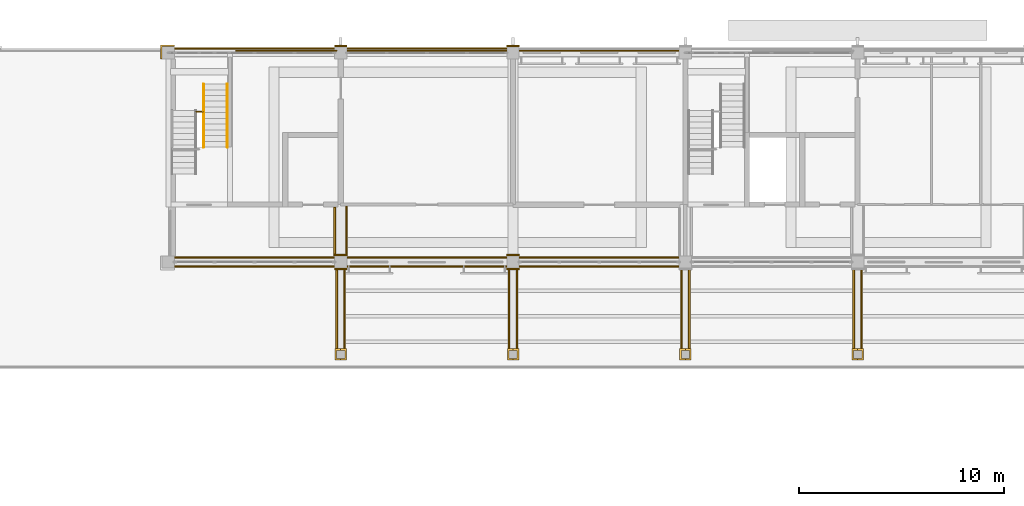
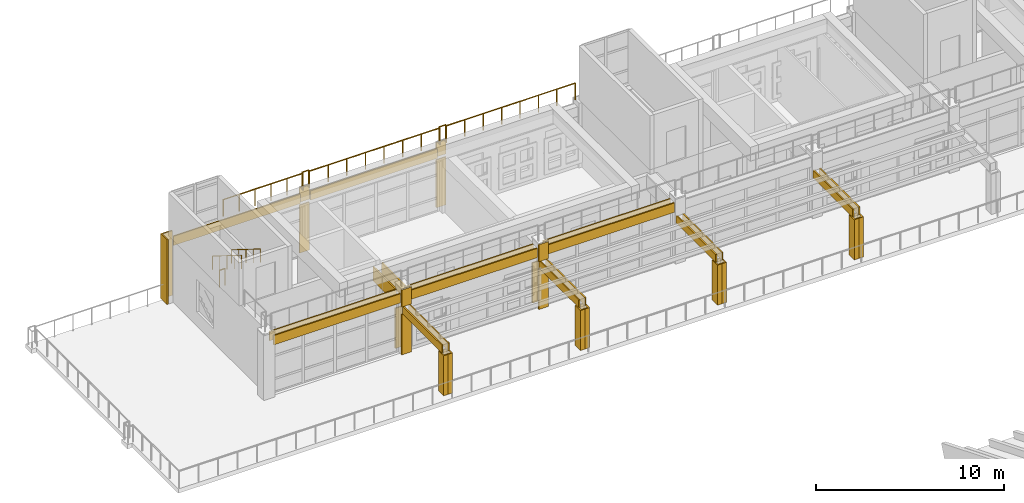
# One storey, part 96 of 105: 37 coverings, 5 railings.
"""IFC4 building model written with IfcOpenShell, lengths in metres."""

from ifc_helpers import new_model, si_unit, direction, frame, origin, origin_2d, place, context, subcontext, project, spatial, polyline, circle, outline, extrude, material, layer, layer_set, type_object, element, save


model = new_model("IFC4")

# Units and contexts
model_context = context("Model", 3, precision=1e-05, world=origin(), true_north=direction((0.0, 1.0)))
body_context = subcontext(model_context, "Body", "Model", "MODEL_VIEW")
ifc_project = project(units=[si_unit("LENGTHUNIT", "METRE"), si_unit("AREAUNIT", "SQUARE_METRE"), si_unit("VOLUMEUNIT", "CUBIC_METRE"), si_unit("PLANEANGLEUNIT", "RADIAN"), si_unit("MASSUNIT", "GRAM", prefix="KILO")], contexts=[model_context])

# Site, building, storey
site_placement = place(None, origin())
site = spatial("IfcSite", under=ifc_project, at=site_placement, CompositionType="ELEMENT")
building_placement = place(site_placement, origin())
building = spatial("IfcBuilding", under=site, at=building_placement, Name="Wasatch Bagh Community Centre", CompositionType="ELEMENT")
storey_placement = place(building_placement, frame((0.0, 0.0, 16.800048828125)))
storey = spatial("IfcBuildingStorey", under=building, at=storey_placement, Name="L04", CompositionType="ELEMENT", Elevation=16.800048828125)

# Coverings
ifc_material_1 = material(Name="Cast stone cladding", Category="masonry")
ifc_layer_1 = layer(ifc_material_1, 0.080078125)
ifc_layer_set_1 = layer_set([ifc_layer_1], Name="Cast stone cladding")
covering_type_1 = type_object("IfcCoveringType", Name="CL-B7 beam facing", PredefinedType="CLADDING", material=ifc_layer_set_1)
covering_1_placement = place(storey_placement, frame((0.0, 0.0, 3.300048828125)))
element("IfcCovering", 1, at=covering_1_placement, inside=storey, type_object=covering_type_1, Name="Beam facing", PredefinedType="CLADDING", context=body_context, shape_type="SweptSolid", body=[
    extrude(outline(polyline([(81.10009765625, 87.77490234375), (88.89990234375, 87.77490234375), (88.89990234375, 87.85498046875), (81.10009765625, 87.85498046875), (81.10009765625, 87.77490234375)])), origin(), (0.0, 0.0, 1.0), 0.599853515625),
])
covering_2_placement = place(storey_placement, frame((0.0, 0.0, 3.300048828125)))
element("IfcCovering", 2, at=covering_2_placement, inside=storey, type_object=covering_type_1, Name="Beam facing", PredefinedType="CLADDING", context=body_context, shape_type="SweptSolid", body=[
    extrude(outline(polyline([(81.10009765625, 87.425048828125), (88.89990234375, 87.425048828125), (88.89990234375, 87.344970703125), (81.10009765625, 87.344970703125), (81.10009765625, 87.425048828125)])), origin(), (0.0, 0.0, 1.0), 0.599853515625),
])
covering_3_placement = place(storey_placement, frame((0.0, 0.0, 3.300048828125)))
element("IfcCovering", 3, at=covering_3_placement, inside=storey, type_object=covering_type_1, Name="Beam facing", PredefinedType="CLADDING", context=body_context, shape_type="SweptSolid", body=[
    extrude(outline(polyline([(89.5, 87.77490234375), (97.300048828125, 87.77490234375), (97.300048828125, 87.85498046875), (89.5, 87.85498046875), (89.5, 87.77490234375)])), origin(), (0.0, 0.0, 1.0), 0.599853515625),
])
covering_4_placement = place(storey_placement, frame((0.0, 0.0, 3.300048828125)))
element("IfcCovering", 4, at=covering_4_placement, inside=storey, type_object=covering_type_1, Name="Beam facing", PredefinedType="CLADDING", context=body_context, shape_type="SweptSolid", body=[
    extrude(outline(polyline([(89.5, 87.425048828125), (97.300048828125, 87.425048828125), (97.300048828125, 87.344970703125), (89.5, 87.344970703125), (89.5, 87.425048828125)])), origin(), (0.0, 0.0, 1.0), 0.599853515625),
])
covering_5_placement = place(storey_placement, frame((0.0, 0.0, 3.300048828125)))
element("IfcCovering", 5, at=covering_5_placement, inside=storey, type_object=covering_type_1, Name="Beam facing", PredefinedType="CLADDING", context=body_context, shape_type="SweptSolid", body=[
    extrude(outline(polyline([(97.89990234375, 87.77490234375), (105.699951171875, 87.77490234375), (105.699951171875, 87.85498046875), (97.89990234375, 87.85498046875), (97.89990234375, 87.77490234375)])), origin(), (0.0, 0.0, 1.0), 0.599853515625),
])
covering_6_placement = place(storey_placement, frame((0.0, 0.0, 3.300048828125)))
element("IfcCovering", 6, at=covering_6_placement, inside=storey, type_object=covering_type_1, Name="Beam facing", PredefinedType="CLADDING", context=body_context, shape_type="SweptSolid", body=[
    extrude(outline(polyline([(97.89990234375, 87.425048828125), (105.699951171875, 87.425048828125), (105.699951171875, 87.344970703125), (97.89990234375, 87.344970703125), (97.89990234375, 87.425048828125)])), origin(), (0.0, 0.0, 1.0), 0.599853515625),
])
covering_7_placement = place(storey_placement, frame((0.0, 0.0, 3.300048828125)))
element("IfcCovering", 7, at=covering_7_placement, inside=storey, type_object=covering_type_1, Name="Beam facing", PredefinedType="CLADDING", context=body_context, shape_type="SweptSolid", body=[
    extrude(outline(polyline([(81.10009765625, 97.97509765625), (88.89990234375, 97.97509765625), (88.89990234375, 98.054931640625), (81.10009765625, 98.054931640625), (81.10009765625, 97.97509765625)])), origin(), (0.0, 0.0, 1.0), 0.599853515625),
])
covering_8_placement = place(storey_placement, frame((0.0, 0.0, 3.300048828125)))
element("IfcCovering", 8, at=covering_8_placement, inside=storey, type_object=covering_type_1, Name="Beam facing", PredefinedType="CLADDING", context=body_context, shape_type="SweptSolid", body=[
    extrude(outline(polyline([(89.5, 97.97509765625), (97.300048828125, 97.97509765625), (97.300048828125, 98.054931640625), (89.5, 98.054931640625), (89.5, 97.97509765625)])), origin(), (0.0, 0.0, 1.0), 0.599853515625),
])
covering_9_placement = place(storey_placement, frame((0.0, 0.0, 3.0)))
element("IfcCovering", 9, at=covering_9_placement, inside=storey, type_object=covering_type_1, Name="Beam facing", PredefinedType="CLADDING", context=body_context, shape_type="SweptSolid", body=[
    extrude(outline(polyline([(88.949951171875, 87.89990234375), (88.949951171875, 90.264892578125), (88.8701171875, 90.264892578125), (88.8701171875, 87.89990234375), (88.949951171875, 87.89990234375)])), origin(), (0.0, 0.0, 1.0), 0.89990234375),
])
covering_10_placement = place(storey_placement, frame((0.0, 0.0, 3.0)))
element("IfcCovering", 10, at=covering_10_placement, inside=storey, type_object=covering_type_1, Name="Beam facing", PredefinedType="CLADDING", context=body_context, shape_type="SweptSolid", body=[
    extrude(outline(polyline([(89.449951171875, 87.89990234375), (89.449951171875, 90.31494140625), (89.530029296875, 90.31494140625), (89.530029296875, 87.89990234375), (89.449951171875, 87.89990234375)])), origin(), (0.0, 0.0, 1.0), 0.89990234375),
])
covering_11_placement = place(storey_placement, frame((0.0, 0.0, 2.599853515625)))
element("IfcCovering", 11, at=covering_11_placement, inside=storey, type_object=covering_type_1, Name="Beam facing", PredefinedType="CLADDING", context=body_context, shape_type="SweptSolid", body=[
    extrude(outline(polyline([(89.35009765625, 87.300048828125), (89.35009765625, 83.10009765625), (89.429931640625, 83.10009765625), (89.429931640625, 87.300048828125), (89.35009765625, 87.300048828125)])), origin(), (0.0, 0.0, 1.0), 0.5),
])
covering_12_placement = place(storey_placement, frame((0.0, 0.0, 2.599853515625)))
element("IfcCovering", 12, at=covering_12_placement, inside=storey, type_object=covering_type_1, Name="Beam facing", PredefinedType="CLADDING", context=body_context, shape_type="SweptSolid", body=[
    extrude(outline(polyline([(89.050048828125, 87.300048828125), (89.050048828125, 83.10009765625), (88.969970703125, 83.10009765625), (88.969970703125, 87.300048828125), (89.050048828125, 87.300048828125)])), origin(), (0.0, 0.0, 1.0), 0.5),
])
covering_13_placement = place(storey_placement, frame((0.0, 0.0, 2.599853515625)))
element("IfcCovering", 13, at=covering_13_placement, inside=storey, type_object=covering_type_1, Name="Beam facing", PredefinedType="CLADDING", context=body_context, shape_type="SweptSolid", body=[
    extrude(outline(polyline([(97.75, 87.300048828125), (97.75, 83.10009765625), (97.830078125, 83.10009765625), (97.830078125, 87.300048828125), (97.75, 87.300048828125)])), origin(), (0.0, 0.0, 1.0), 0.5),
])
covering_14_placement = place(storey_placement, frame((0.0, 0.0, 2.599853515625)))
element("IfcCovering", 14, at=covering_14_placement, inside=storey, type_object=covering_type_1, Name="Beam facing", PredefinedType="CLADDING", context=body_context, shape_type="SweptSolid", body=[
    extrude(outline(polyline([(97.449951171875, 87.300048828125), (97.449951171875, 83.10009765625), (97.3701171875, 83.10009765625), (97.3701171875, 87.300048828125), (97.449951171875, 87.300048828125)])), origin(), (0.0, 0.0, 1.0), 0.5),
])
covering_15_placement = place(storey_placement, frame((0.0, 0.0, 2.599853515625)))
element("IfcCovering", 15, at=covering_15_placement, inside=storey, type_object=covering_type_1, Name="Beam facing", PredefinedType="CLADDING", context=body_context, shape_type="SweptSolid", body=[
    extrude(outline(polyline([(106.14990234375, 87.300048828125), (106.14990234375, 83.10009765625), (106.22998046875, 83.10009765625), (106.22998046875, 87.300048828125), (106.14990234375, 87.300048828125)])), origin(), (0.0, 0.0, 1.0), 0.5),
])
covering_16_placement = place(storey_placement, frame((0.0, 0.0, 2.599853515625)))
element("IfcCovering", 16, at=covering_16_placement, inside=storey, type_object=covering_type_1, Name="Beam facing", PredefinedType="CLADDING", context=body_context, shape_type="SweptSolid", body=[
    extrude(outline(polyline([(105.85009765625, 87.300048828125), (105.85009765625, 83.10009765625), (105.77001953125, 83.10009765625), (105.77001953125, 87.300048828125), (105.85009765625, 87.300048828125)])), origin(), (0.0, 0.0, 1.0), 0.5),
])
covering_17_placement = place(storey_placement, frame((0.0, 0.0, 2.599853515625)))
element("IfcCovering", 17, at=covering_17_placement, inside=storey, type_object=covering_type_1, Name="Beam facing", PredefinedType="CLADDING", context=body_context, shape_type="SweptSolid", body=[
    extrude(outline(polyline([(114.550048828125, 87.300048828125), (114.550048828125, 83.10009765625), (114.6298828125, 83.10009765625), (114.6298828125, 87.300048828125), (114.550048828125, 87.300048828125)])), origin(), (0.0, 0.0, 1.0), 0.5),
])
covering_18_placement = place(storey_placement, frame((0.0, 0.0, 2.599853515625)))
element("IfcCovering", 18, at=covering_18_placement, inside=storey, type_object=covering_type_1, Name="Beam facing", PredefinedType="CLADDING", context=body_context, shape_type="SweptSolid", body=[
    extrude(outline(polyline([(114.25, 87.300048828125), (114.25, 83.10009765625), (114.169921875, 83.10009765625), (114.169921875, 87.300048828125), (114.25, 87.300048828125)])), origin(), (0.0, 0.0, 1.0), 0.5),
])
ifc_layer_2 = layer(ifc_material_1, 0.080078125)
ifc_layer_set_2 = layer_set([ifc_layer_2], Name="Cast stone cladding")
covering_type_2 = type_object("IfcCoveringType", Name="CL-C1 column facing", PredefinedType="CLADDING", material=ifc_layer_set_2)
covering_19_placement = place(storey_placement, origin())
element("IfcCovering", 19, at=covering_19_placement, inside=storey, type_object=covering_type_2, Name="Column facing", PredefinedType="CLADDING", context=body_context, shape_type="SweptSolid", body=[
    extrude(outline(polyline([(88.89990234375, 87.89990234375), (88.89990234375, 87.97998046875), (89.5, 87.97998046875), (89.5, 87.89990234375), (88.89990234375, 87.89990234375)])), origin(), (0.0, 0.0, 1.0), 2.599853515625),
])
covering_20_placement = place(storey_placement, origin())
element("IfcCovering", 20, at=covering_20_placement, inside=storey, type_object=covering_type_2, Name="Column facing", PredefinedType="CLADDING", context=body_context, shape_type="SweptSolid", body=[
    extrude(outline(polyline([(89.5, 87.300048828125), (89.5, 87.219970703125), (88.89990234375, 87.219970703125), (88.89990234375, 87.300048828125), (89.5, 87.300048828125)])), origin(), (0.0, 0.0, 1.0), 2.599853515625),
])
covering_21_placement = place(storey_placement, frame((0.0, 0.0, 3.099853515625)))
element("IfcCovering", 21, at=covering_21_placement, inside=storey, type_object=covering_type_2, Name="Column facing", PredefinedType="CLADDING", context=body_context, shape_type="SweptSolid", body=[
    extrude(outline(polyline([(88.89990234375, 87.300048828125), (89.5, 87.300048828125), (89.5, 87.219970703125), (88.89990234375, 87.219970703125), (88.89990234375, 87.300048828125)])), origin(), (0.0, 0.0, 1.0), 1.10009765625),
])
covering_22_placement = place(storey_placement, origin())
element("IfcCovering", 22, at=covering_22_placement, inside=storey, type_object=covering_type_2, Name="Column facing", PredefinedType="CLADDING", context=body_context, shape_type="SweptSolid", body=[
    extrude(outline(polyline([(97.300048828125, 87.89990234375), (97.300048828125, 87.97998046875), (97.89990234375, 87.97998046875), (97.89990234375, 87.89990234375), (97.300048828125, 87.89990234375)])), origin(), (0.0, 0.0, 1.0), 2.599853515625),
])
covering_23_placement = place(storey_placement, origin())
element("IfcCovering", 23, at=covering_23_placement, inside=storey, type_object=covering_type_2, Name="Column facing", PredefinedType="CLADDING", context=body_context, shape_type="SweptSolid", body=[
    extrude(outline(polyline([(97.89990234375, 87.300048828125), (97.89990234375, 87.219970703125), (97.300048828125, 87.219970703125), (97.300048828125, 87.300048828125), (97.89990234375, 87.300048828125)])), origin(), (0.0, 0.0, 1.0), 2.599853515625),
])
covering_24_placement = place(storey_placement, frame((0.0, 0.0, 3.099853515625)))
element("IfcCovering", 24, at=covering_24_placement, inside=storey, type_object=covering_type_2, Name="Column facing", PredefinedType="CLADDING", context=body_context, shape_type="SweptSolid", body=[
    extrude(outline(polyline([(97.300048828125, 87.300048828125), (97.89990234375, 87.300048828125), (97.89990234375, 87.219970703125), (97.300048828125, 87.219970703125), (97.300048828125, 87.300048828125)])), origin(), (0.0, 0.0, 1.0), 1.10009765625),
])
covering_25_placement = place(storey_placement, origin())
element("IfcCovering", 25, at=covering_25_placement, inside=storey, type_object=covering_type_2, Name="Column facing", PredefinedType="CLADDING", context=body_context, shape_type="SweptSolid", body=[
    extrude(outline(polyline([(80.5, 97.5), (80.419921875, 97.5), (80.419921875, 98.179931640625), (81.10009765625, 98.179931640625), (81.10009765625, 98.10009765625), (80.5, 98.10009765625), (80.5, 97.5)])), origin(), (0.0, 0.0, 1.0), 4.199951171875),
])
covering_26_placement = place(storey_placement, origin())
element("IfcCovering", 26, at=covering_26_placement, inside=storey, type_object=covering_type_2, Name="Column facing", PredefinedType="CLADDING", context=body_context, shape_type="SweptSolid", body=[
    extrude(outline(polyline([(89.5, 98.10009765625), (88.89990234375, 98.10009765625), (88.89990234375, 98.179931640625), (89.5, 98.179931640625), (89.5, 98.10009765625)])), origin(), (0.0, 0.0, 1.0), 3.099853515625),
])
covering_27_placement = place(storey_placement, frame((0.0, 0.0, 3.300048828125)))
element("IfcCovering", 27, at=covering_27_placement, inside=storey, type_object=covering_type_2, Name="Column facing", PredefinedType="CLADDING", context=body_context, shape_type="SweptSolid", body=[
    extrude(outline(polyline([(89.5, 98.10009765625), (88.89990234375, 98.10009765625), (88.89990234375, 98.179931640625), (89.5, 98.179931640625), (89.5, 98.10009765625)])), origin(), (0.0, 0.0, 1.0), 0.89990234375),
])
covering_28_placement = place(storey_placement, origin())
element("IfcCovering", 28, at=covering_28_placement, inside=storey, type_object=covering_type_2, Name="Column facing", PredefinedType="CLADDING", context=body_context, shape_type="SweptSolid", body=[
    extrude(outline(polyline([(97.89990234375, 98.10009765625), (97.300048828125, 98.10009765625), (97.300048828125, 98.179931640625), (97.89990234375, 98.179931640625), (97.89990234375, 98.10009765625)])), origin(), (0.0, 0.0, 1.0), 3.099853515625),
])
covering_29_placement = place(storey_placement, frame((0.0, 0.0, 3.300048828125)))
element("IfcCovering", 29, at=covering_29_placement, inside=storey, type_object=covering_type_2, Name="Column facing", PredefinedType="CLADDING", context=body_context, shape_type="SweptSolid", body=[
    extrude(outline(polyline([(97.89990234375, 98.10009765625), (97.300048828125, 98.10009765625), (97.300048828125, 98.179931640625), (97.89990234375, 98.179931640625), (97.89990234375, 98.10009765625)])), origin(), (0.0, 0.0, 1.0), 0.89990234375),
])
covering_30_placement = place(storey_placement, origin())
element("IfcCovering", 30, at=covering_30_placement, inside=storey, type_object=covering_type_2, Name="Column facing", PredefinedType="CLADDING", context=body_context, shape_type="SweptSolid", body=[
    extrude(outline(polyline([(89.199951171875, 83.3798828125), (89.199951171875, 83.300048828125), (89.0, 83.300048828125), (89.0, 82.89990234375), (89.199951171875, 82.89990234375), (89.199951171875, 82.820068359375), (88.919921875, 82.820068359375), (88.919921875, 83.3798828125), (89.199951171875, 83.3798828125)])), origin(), (0.0, 0.0, 1.0), 2.599853515625),
])
covering_31_placement = place(storey_placement, origin())
element("IfcCovering", 31, at=covering_31_placement, inside=storey, type_object=covering_type_2, Name="Column facing", PredefinedType="CLADDING", context=body_context, shape_type="SweptSolid", body=[
    extrude(outline(polyline([(89.47998046875, 83.3798828125), (89.47998046875, 83.300048828125), (89.47998046875, 82.89990234375), (89.47998046875, 82.820068359375), (89.199951171875, 82.820068359375), (89.199951171875, 82.89990234375), (89.39990234375, 82.89990234375), (89.39990234375, 83.300048828125), (89.199951171875, 83.300048828125), (89.199951171875, 83.3798828125), (89.47998046875, 83.3798828125)])), origin(), (0.0, 0.0, 1.0), 2.599853515625),
])
covering_32_placement = place(storey_placement, origin())
element("IfcCovering", 32, at=covering_32_placement, inside=storey, type_object=covering_type_2, Name="Column facing", PredefinedType="CLADDING", context=body_context, shape_type="SweptSolid", body=[
    extrude(outline(polyline([(97.60009765625, 83.3798828125), (97.60009765625, 83.300048828125), (97.39990234375, 83.300048828125), (97.39990234375, 82.89990234375), (97.60009765625, 82.89990234375), (97.60009765625, 82.820068359375), (97.320068359375, 82.820068359375), (97.320068359375, 83.3798828125), (97.60009765625, 83.3798828125)])), origin(), (0.0, 0.0, 1.0), 2.599853515625),
])
covering_33_placement = place(storey_placement, origin())
element("IfcCovering", 33, at=covering_33_placement, inside=storey, type_object=covering_type_2, Name="Column facing", PredefinedType="CLADDING", context=body_context, shape_type="SweptSolid", body=[
    extrude(outline(polyline([(97.8798828125, 83.3798828125), (97.8798828125, 83.300048828125), (97.8798828125, 82.89990234375), (97.8798828125, 82.820068359375), (97.60009765625, 82.820068359375), (97.60009765625, 82.89990234375), (97.800048828125, 82.89990234375), (97.800048828125, 83.300048828125), (97.60009765625, 83.300048828125), (97.60009765625, 83.3798828125), (97.8798828125, 83.3798828125)])), origin(), (0.0, 0.0, 1.0), 2.599853515625),
])
covering_34_placement = place(storey_placement, origin())
element("IfcCovering", 34, at=covering_34_placement, inside=storey, type_object=covering_type_2, Name="Column facing", PredefinedType="CLADDING", context=body_context, shape_type="SweptSolid", body=[
    extrude(outline(polyline([(106.0, 83.3798828125), (106.0, 83.300048828125), (105.800048828125, 83.300048828125), (105.800048828125, 82.89990234375), (106.0, 82.89990234375), (106.0, 82.820068359375), (105.719970703125, 82.820068359375), (105.719970703125, 83.3798828125), (106.0, 83.3798828125)])), origin(), (0.0, 0.0, 1.0), 2.599853515625),
])
covering_35_placement = place(storey_placement, origin())
element("IfcCovering", 35, at=covering_35_placement, inside=storey, type_object=covering_type_2, Name="Column facing", PredefinedType="CLADDING", context=body_context, shape_type="SweptSolid", body=[
    extrude(outline(polyline([(106.280029296875, 83.3798828125), (106.280029296875, 83.300048828125), (106.280029296875, 82.89990234375), (106.280029296875, 82.820068359375), (106.0, 82.820068359375), (106.0, 82.89990234375), (106.199951171875, 82.89990234375), (106.199951171875, 83.300048828125), (106.0, 83.300048828125), (106.0, 83.3798828125), (106.280029296875, 83.3798828125)])), origin(), (0.0, 0.0, 1.0), 2.599853515625),
])
covering_36_placement = place(storey_placement, origin())
element("IfcCovering", 36, at=covering_36_placement, inside=storey, type_object=covering_type_2, Name="Column facing", PredefinedType="CLADDING", context=body_context, shape_type="SweptSolid", body=[
    extrude(outline(polyline([(114.1201171875, 83.300048828125), (114.1201171875, 83.3798828125), (114.39990234375, 83.3798828125), (114.39990234375, 83.300048828125), (114.199951171875, 83.300048828125), (114.199951171875, 82.89990234375), (114.39990234375, 82.89990234375), (114.39990234375, 82.820068359375), (114.1201171875, 82.820068359375), (114.1201171875, 82.89990234375), (114.1201171875, 83.300048828125)])), origin(), (0.0, 0.0, 1.0), 2.599853515625),
])
covering_37_placement = place(storey_placement, origin())
element("IfcCovering", 37, at=covering_37_placement, inside=storey, type_object=covering_type_2, Name="Column facing", PredefinedType="CLADDING", context=body_context, shape_type="SweptSolid", body=[
    extrude(outline(polyline([(114.679931640625, 83.3798828125), (114.679931640625, 82.820068359375), (114.39990234375, 82.820068359375), (114.39990234375, 82.89990234375), (114.60009765625, 82.89990234375), (114.60009765625, 83.300048828125), (114.39990234375, 83.300048828125), (114.39990234375, 83.3798828125), (114.679931640625, 83.3798828125)])), origin(), (0.0, 0.0, 1.0), 2.599853515625),
])

# Railings
ifc_material_2 = material(Name="Painted steel with jali infill", Category="steel")
railing_type_1 = type_object("IfcRailingType", Name="LW guard 1100", PredefinedType="GUARDRAIL", material=ifc_material_2)
railing_1_placement = place(storey_placement, frame((84.10009765625, 97.89990234375, 4.199951171875)))
element("IfcRailing", 38, at=railing_1_placement, inside=storey, type_object=railing_type_1, Name="Terrace guard T5", PredefinedType="GUARDRAIL", context=body_context, shape_type="SweptSolid", body=[
    extrude(circle(Radius=0.02490234375, at=origin_2d()), frame((0.0, 0.0, 1.0751953125), z_axis=(1.0, 0.0, 0.0), x_axis=(0.0, 1.0, 0.0)), (0.0, 0.0, 1.0), 4.89990234375),
    extrude(circle(Radius=0.02001953125, at=origin_2d()), origin(), (0.0, 0.0, 1.0), 1.050048828125),
    extrude(circle(Radius=0.02001953125, at=origin_2d()), frame((0.97998046875, 0.0, 0.0)), (0.0, 0.0, 1.0), 1.050048828125),
    extrude(circle(Radius=0.02001953125, at=origin_2d()), frame((1.9599609375, 0.0, 0.0)), (0.0, 0.0, 1.0), 1.050048828125),
    extrude(circle(Radius=0.02001953125, at=origin_2d()), frame((2.93994140625, 0.0, 0.0)), (0.0, 0.0, 1.0), 1.050048828125),
    extrude(circle(Radius=0.02001953125, at=origin_2d()), frame((3.919921875, 0.0, 0.0)), (0.0, 0.0, 1.0), 1.050048828125),
    extrude(circle(Radius=0.02001953125, at=origin_2d()), frame((4.89990234375, 0.0, 0.0)), (0.0, 0.0, 1.0), 1.050048828125),
])
railing_2_placement = place(storey_placement, frame((89.0, 97.89990234375, 4.199951171875)))
element("IfcRailing", 39, at=railing_2_placement, inside=storey, type_object=railing_type_1, Name="Terrace guard T5", PredefinedType="GUARDRAIL", context=body_context, shape_type="SweptSolid", body=[
    extrude(circle(Radius=0.02490234375, at=origin_2d()), frame((0.0, 0.0, 1.0751953125), z_axis=(0.0, 1.0, 0.0), x_axis=(-1.0, 0.0, 0.0)), (0.0, 0.0, 1.0), 0.10009765625),
    extrude(circle(Radius=0.02490234375, at=origin_2d()), frame((0.0, 0.10009765625, 1.0751953125), z_axis=(1.0, 0.0, 0.0), x_axis=(0.0, 1.0, 0.0)), (0.0, 0.0, 1.0), 0.39990234375),
    extrude(circle(Radius=0.02490234375, at=origin_2d()), frame((0.39990234375, 0.10009765625, 1.0751953125), z_axis=(0.0, -1.0, 0.0), x_axis=(1.0, 0.0, 0.0)), (0.0, 0.0, 1.0), 0.10009765625),
    extrude(circle(Radius=0.02490234375, at=origin_2d()), frame((0.39990234375, 0.0, 1.0751953125), z_axis=(1.0, 0.0, 0.0), x_axis=(0.0, 1.0, 0.0)), (0.0, 0.0, 1.0), 8.0),
    extrude(circle(Radius=0.02490234375, at=origin_2d()), frame((8.39990234375, 0.0, 1.0751953125), z_axis=(0.0, 1.0, 0.0), x_axis=(-1.0, 0.0, 0.0)), (0.0, 0.0, 1.0), 0.10009765625),
    extrude(circle(Radius=0.02490234375, at=origin_2d()), frame((8.39990234375, 0.10009765625, 1.0751953125), z_axis=(1.0, 0.0, 0.0), x_axis=(0.0, 1.0, 0.0)), (0.0, 0.0, 1.0), 0.400146484375),
    extrude(circle(Radius=0.02490234375, at=origin_2d()), frame((8.800048828125, 0.10009765625, 1.0751953125), z_axis=(0.0, -1.0, 0.0), x_axis=(1.0, 0.0, 0.0)), (0.0, 0.0, 1.0), 0.10009765625),
    extrude(circle(Radius=0.02490234375, at=origin_2d()), frame((8.800048828125, 0.0, 1.0751953125), z_axis=(1.0, 0.0, 0.0), x_axis=(0.0, 1.0, 0.0)), (0.0, 0.0, 1.0), 7.89990234375),
    extrude(circle(Radius=0.02001953125, at=origin_2d()), origin(), (0.0, 0.0, 1.0), 1.050048828125),
    extrude(circle(Radius=0.02001953125, at=origin_2d()), frame((0.0, 0.10009765625, 0.0)), (0.0, 0.0, 1.0), 1.050048828125),
    extrude(circle(Radius=0.02001953125, at=origin_2d()), frame((0.39990234375, 0.10009765625, 0.0)), (0.0, 0.0, 1.0), 1.050048828125),
    extrude(circle(Radius=0.02001953125, at=origin_2d()), frame((0.39990234375, 0.0, 0.0)), (0.0, 0.0, 1.0), 1.050048828125),
    extrude(circle(Radius=0.02001953125, at=origin_2d()), frame((1.542724609375, 0.0, 0.0)), (0.0, 0.0, 1.0), 1.050048828125),
    extrude(circle(Radius=0.02001953125, at=origin_2d()), frame((2.685546875, 0.0, 0.0)), (0.0, 0.0, 1.0), 1.050048828125),
    extrude(circle(Radius=0.02001953125, at=origin_2d()), frame((3.828369140625, 0.0, 0.0)), (0.0, 0.0, 1.0), 1.050048828125),
    extrude(circle(Radius=0.02001953125, at=origin_2d()), frame((4.971435546875, 0.0, 0.0)), (0.0, 0.0, 1.0), 1.050048828125),
    extrude(circle(Radius=0.02001953125, at=origin_2d()), frame((6.1142578125, 0.0, 0.0)), (0.0, 0.0, 1.0), 1.050048828125),
    extrude(circle(Radius=0.02001953125, at=origin_2d()), frame((7.257080078125, 0.0, 0.0)), (0.0, 0.0, 1.0), 1.050048828125),
    extrude(circle(Radius=0.02001953125, at=origin_2d()), frame((8.39990234375, 0.0, 0.0)), (0.0, 0.0, 1.0), 1.050048828125),
    extrude(circle(Radius=0.02001953125, at=origin_2d()), frame((8.39990234375, 0.10009765625, 0.0)), (0.0, 0.0, 1.0), 1.050048828125),
    extrude(circle(Radius=0.02001953125, at=origin_2d()), frame((8.800048828125, 0.10009765625, 0.0)), (0.0, 0.0, 1.0), 1.050048828125),
    extrude(circle(Radius=0.02001953125, at=origin_2d()), frame((8.800048828125, 0.0, 0.0)), (0.0, 0.0, 1.0), 1.050048828125),
    extrude(circle(Radius=0.02001953125, at=origin_2d()), frame((9.9287109375, 0.0, 0.0)), (0.0, 0.0, 1.0), 1.050048828125),
    extrude(circle(Radius=0.02001953125, at=origin_2d()), frame((11.05712890625, 0.0, 0.0)), (0.0, 0.0, 1.0), 1.050048828125),
    extrude(circle(Radius=0.02001953125, at=origin_2d()), frame((12.185791015625, 0.0, 0.0)), (0.0, 0.0, 1.0), 1.050048828125),
    extrude(circle(Radius=0.02001953125, at=origin_2d()), frame((13.314208984375, 0.0, 0.0)), (0.0, 0.0, 1.0), 1.050048828125),
    extrude(circle(Radius=0.02001953125, at=origin_2d()), frame((14.44287109375, 0.0, 0.0)), (0.0, 0.0, 1.0), 1.050048828125),
    extrude(circle(Radius=0.02001953125, at=origin_2d()), frame((15.5712890625, 0.0, 0.0)), (0.0, 0.0, 1.0), 1.050048828125),
    extrude(circle(Radius=0.02001953125, at=origin_2d()), frame((16.699951171875, 0.0, 0.0)), (0.0, 0.0, 1.0), 1.050048828125),
])
railing_3_placement = place(storey_placement, frame((82.159912109375, 94.929931640625, 2.099853515625)))
element("IfcRailing", 40, at=railing_3_placement, inside=storey, type_object=railing_type_1, Name="Guard C1", PredefinedType="GUARDRAIL", context=body_context, shape_type="SweptSolid", body=[
    extrude(circle(Radius=0.02490234375, at=origin_2d()), frame((0.0, 0.0, 1.0751953125), z_axis=(1.0, 0.0, 0.0), x_axis=(0.0, 1.0, 0.0)), (0.0, 0.0, 1.0), 0.330078125),
    extrude(circle(Radius=0.02001953125, at=origin_2d()), origin(), (0.0, 0.0, 1.0), 1.050048828125),
    extrude(circle(Radius=0.02001953125, at=origin_2d()), frame((0.330078125, 0.0, 0.0)), (0.0, 0.0, 1.0), 1.050048828125),
])
ifc_material_3 = material(Name="Painted steel tube", Category="steel")
railing_type_2 = type_object("IfcRailingType", Name="LW stair handrail 900", PredefinedType="HANDRAIL", material=ifc_material_3)
for number, where, name in (
    (41, (82.514892578125, 96.280029296875, 2.27490234375), "Handrail C1"),
    (42, (83.675048828125, 96.280029296875, 2.27490234375), "Handrail C1"),
):
    element("IfcRailing", number, at=place(storey_placement, frame(where)), inside=storey, type_object=railing_type_2, Name=name, PredefinedType="HANDRAIL", context=body_context, shape_type="SweptSolid", body=[
        extrude(circle(Radius=0.0224609375, at=origin_2d()), frame((0.0, 0.0, 0.87744140625), z_axis=(0.0, -0.847998304005, 0.529998940003), x_axis=(1.0, 0.0, 0.0)), (0.0, 0.0, 1.0), 3.632080078125),
        extrude(circle(Radius=0.02001953125, at=origin_2d()), origin(), (0.0, 0.0, 1.0), 0.85498046875),
        extrude(circle(Radius=0.02001953125, at=origin_2d()), frame((0.0, -0.77001953125, 0.481201171875)), (0.0, 0.0, 1.0), 0.85498046875),
        extrude(circle(Radius=0.02001953125, at=origin_2d()), frame((0.0, -1.5400390625, 0.96240234375)), (0.0, 0.0, 1.0), 0.85498046875),
        extrude(circle(Radius=0.02001953125, at=origin_2d()), frame((0.0, -2.31005859375, 1.44384765625)), (0.0, 0.0, 1.0), 0.85498046875),
        extrude(circle(Radius=0.02001953125, at=origin_2d()), frame((0.0, -3.080078125, 1.925048828125)), (0.0, 0.0, 1.0), 0.85498046875),
    ])

save(model, "model.ifc")
